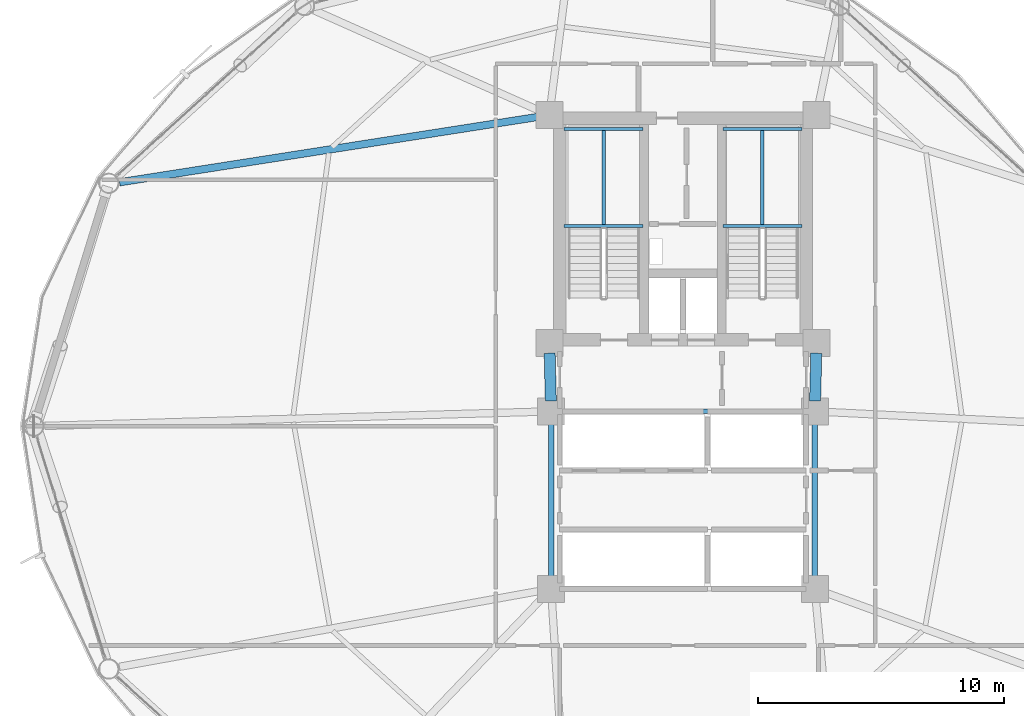
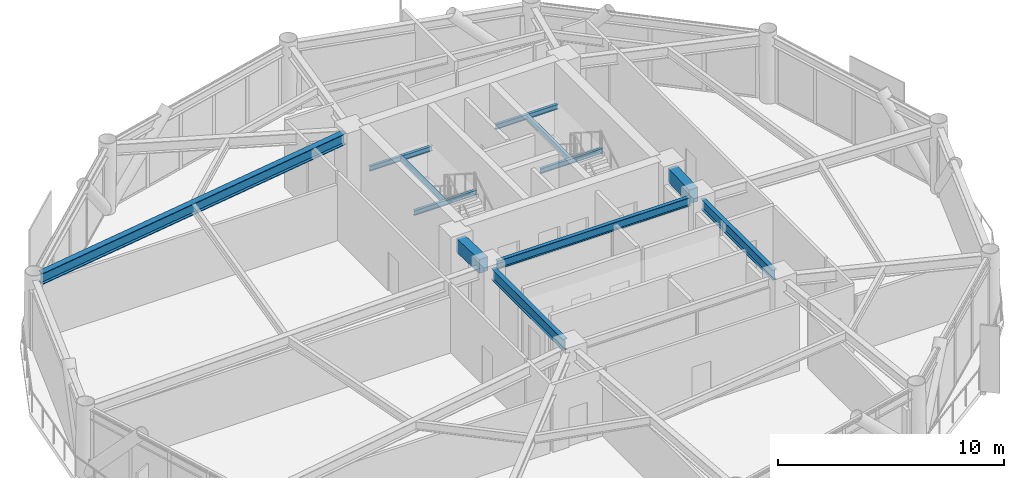
# One storey, part 11 of 26: 12 beams.
"""IFC4 building model written with IfcOpenShell, lengths in metres."""

from ifc_helpers import new_model, si_unit, direction, frame, origin, origin_2d, place, context, subcontext, project, spatial, rectangle, i_section, extrude, material, material_profile, profile_set, type_object, element, save


model = new_model("IFC4")

# Units and contexts
model_context = context("Model", 3, precision=1e-05, world=origin(), true_north=direction((0.0, 1.0)))
body_context = subcontext(model_context, "Body", "Model", "MODEL_VIEW")
ifc_project = project(units=[si_unit("LENGTHUNIT", "METRE"), si_unit("AREAUNIT", "SQUARE_METRE"), si_unit("VOLUMEUNIT", "CUBIC_METRE"), si_unit("PLANEANGLEUNIT", "RADIAN"), si_unit("MASSUNIT", "GRAM", prefix="KILO")], contexts=[model_context])

# Site, building, storey
site_placement = place(None, origin())
site = spatial("IfcSite", under=ifc_project, at=site_placement, CompositionType="ELEMENT")
building_placement = place(site_placement, origin())
building = spatial("IfcBuilding", under=site, at=building_placement, Name="Varnakorn Sky Granary", CompositionType="ELEMENT")
storey_placement = place(building_placement, frame((0.0, 0.0, 87.60009765625)))
storey = spatial("IfcBuildingStorey", under=building, at=storey_placement, Name="L21", CompositionType="ELEMENT", Elevation=87.60009765625)

# Beams
ifc_material_1 = material(Name="Steel S355JR", Category="steel")
ifc_material_profile_1 = material_profile(ifc_material_1, i_section(OverallWidth=0.2099609375, OverallDepth=0.550048828125, WebThickness=0.010986328125, FlangeThickness=0.01708984375, at=origin_2d()), Name="IPE 550")
ifc_profile_set_1 = profile_set([ifc_material_profile_1], Name="Steel S355JR")
beam_type_1 = type_object("IfcBeamType", Name="BM-JST-550", PredefinedType="JOIST", material=ifc_profile_set_1)
beam_1_placement = place(storey_placement, frame((8.35009765625, 0.179931640625, 3.364990234375), z_axis=(0.0, -1.0, 0.0), x_axis=(1.0, 0.0, 0.0)))
element("IfcBeam", 1, at=beam_1_placement, inside=storey, type_object=beam_type_1, Name="Core Spine Framing Beam 4 L21", PredefinedType="JOIST", context=body_context, shape_type="SweptSolid", body=[
    extrude(i_section(OverallWidth=0.2099609375, OverallDepth=0.550048828125, WebThickness=0.010986328125, FlangeThickness=0.01708984375, at=origin_2d()), origin(), (0.0, 0.0, 1.0), 6.35986328125),
])
ifc_material_profile_2 = material_profile(ifc_material_1, i_section(OverallWidth=0.219970703125, OverallDepth=0.60009765625, WebThickness=0.011962890625, FlangeThickness=0.01904296875, at=origin_2d()), Name="IPE 600")
ifc_profile_set_2 = profile_set([ifc_material_profile_2], Name="Steel S355JR")
beam_type_2 = type_object("IfcBeamType", Name="BM-JST-600", PredefinedType="JOIST", material=ifc_profile_set_2)
beam_2_placement = place(storey_placement, frame((-2.35009765625, 0.179931640625, 3.33984375), z_axis=(0.0, -1.0, 0.0), x_axis=(1.0, 0.0, 0.0)))
element("IfcBeam", 2, at=beam_2_placement, inside=storey, type_object=beam_type_2, Name="Core Spine Framing Beam 3 L21", PredefinedType="JOIST", context=body_context, shape_type="SweptSolid", body=[
    extrude(i_section(OverallWidth=0.219970703125, OverallDepth=0.60009765625, WebThickness=0.011962890625, FlangeThickness=0.01904296875, at=origin_2d()), origin(), (0.0, 0.0, 1.0), 6.35986328125),
])
ifc_material_2 = material(Name="Concrete C60/75", Category="concrete")
ifc_material_profile_3 = material_profile(ifc_material_2, rectangle(XDim=0.449951171875, YDim=0.75, at=origin_2d()), Name="RC 450x750")
ifc_profile_set_3 = profile_set([ifc_material_profile_3], Name="Concrete C60/75")
beam_type_3 = type_object("IfcBeamType", Name="BM-LIN-750", PredefinedType="LINTEL", material=ifc_profile_set_3)
for number, where, z_axis, x_axis, name in (
    (3, (-2.409423828125, 2.960205078125, 3.264892578125), (0.025158763514, -0.999683468213, 0.0), (0.999683468213, 0.025158763514, 0.0), "Core Spine Framing Beam 1 L21"),
    (4, (8.409423828125, 2.960205078125, 3.264892578125), (-0.025158763514, -0.999683468213, 0.0), (0.999683468213, -0.025158763514, 0.0), "Core Spine Framing Beam 2 L21"),
):
    element("IfcBeam", number, at=place(storey_placement, frame(where, z_axis=z_axis, x_axis=x_axis)), inside=storey, type_object=beam_type_3, Name=name, PredefinedType="LINTEL", context=body_context, shape_type="SweptSolid", body=[
        extrude(rectangle(XDim=0.449951171875, YDim=0.75, at=origin_2d()), origin(), (0.0, 0.0, 1.0), 1.94091796875),
    ])
ifc_material_profile_4 = material_profile(ifc_material_1, i_section(OverallWidth=0.135009765625, OverallDepth=0.27001953125, WebThickness=0.006591796875, FlangeThickness=0.01025390625, at=origin_2d()), Name="IPE 270")
ifc_profile_set_4 = profile_set([ifc_material_profile_4], Name="Steel S355JR")
beam_type_4 = type_object("IfcBeamType", Name="BM-LND-270", PredefinedType="BEAM", material=ifc_profile_set_4)
for number, where, z_axis, x_axis, name in (
    (5, (-1.820068359375, 8.1201171875, 1.614990234375), (1.0, 0.0, 0.0), (0.0, 1.0, 0.0), "Stair ST-1 Landing Trimmer Beam A L21-1"),
    (6, (-1.820068359375, 12.06005859375, 1.614990234375), (1.0, 0.0, 0.0), (0.0, 1.0, 0.0), "Stair ST-1 Landing Trimmer Beam B L21-1"),
):
    element("IfcBeam", number, at=place(storey_placement, frame(where, z_axis=z_axis, x_axis=x_axis)), inside=storey, type_object=beam_type_4, Name=name, PredefinedType="BEAM", context=body_context, shape_type="SweptSolid", body=[
        extrude(i_section(OverallWidth=0.135009765625, OverallDepth=0.27001953125, WebThickness=0.006591796875, FlangeThickness=0.01025390625, at=origin_2d()), origin(), (0.0, 0.0, 1.0), 3.199951171875),
    ])
beam_3_placement = place(storey_placement, frame((-0.219970703125, 8.1201171875, 1.614990234375), z_axis=(0.0, 1.0, 0.0), x_axis=(-1.0, 0.0, 0.0)))
element("IfcBeam", 7, at=beam_3_placement, inside=storey, type_object=beam_type_4, Name="Stair ST-1 Landing Cross Beam C L21-1", PredefinedType="BEAM", context=body_context, shape_type="SweptSolid", body=[
    extrude(i_section(OverallWidth=0.135009765625, OverallDepth=0.27001953125, WebThickness=0.006591796875, FlangeThickness=0.01025390625, at=origin_2d()), origin(), (0.0, 0.0, 1.0), 3.93994140625),
])
for number, where, z_axis, x_axis, name in (
    (8, (4.6201171875, 8.1201171875, 1.614990234375), (1.0, 0.0, 0.0), (0.0, 1.0, 0.0), "Stair ST-2 Landing Trimmer Beam A L21-1"),
    (9, (4.6201171875, 12.06005859375, 1.614990234375), (1.0, 0.0, 0.0), (0.0, 1.0, 0.0), "Stair ST-2 Landing Trimmer Beam B L21-1"),
):
    element("IfcBeam", number, at=place(storey_placement, frame(where, z_axis=z_axis, x_axis=x_axis)), inside=storey, type_object=beam_type_4, Name=name, PredefinedType="BEAM", context=body_context, shape_type="SweptSolid", body=[
        extrude(i_section(OverallWidth=0.135009765625, OverallDepth=0.27001953125, WebThickness=0.006591796875, FlangeThickness=0.01025390625, at=origin_2d()), origin(), (0.0, 0.0, 1.0), 3.199951171875),
    ])
beam_4_placement = place(storey_placement, frame((6.219970703125, 8.1201171875, 1.614990234375), z_axis=(0.0, 1.0, 0.0), x_axis=(-1.0, 0.0, 0.0)))
element("IfcBeam", 10, at=beam_4_placement, inside=storey, type_object=beam_type_4, Name="Stair ST-2 Landing Cross Beam C L21-1", PredefinedType="BEAM", context=body_context, shape_type="SweptSolid", body=[
    extrude(i_section(OverallWidth=0.135009765625, OverallDepth=0.27001953125, WebThickness=0.006591796875, FlangeThickness=0.01025390625, at=origin_2d()), origin(), (0.0, 0.0, 1.0), 3.93994140625),
])
ifc_material_profile_5 = material_profile(ifc_material_1, i_section(OverallWidth=0.300048828125, OverallDepth=0.60009765625, WebThickness=0.015380859375, FlangeThickness=0.030029296875, at=origin_2d()), Name="HE 600 B")
ifc_profile_set_5 = profile_set([ifc_material_profile_5], Name="Steel S355JR")
beam_type_5 = type_object("IfcBeamType", Name="BM-RAD-Z2", PredefinedType="BEAM", material=ifc_profile_set_5)
beam_5_placement = place(storey_placement, frame((-2.8349609375, 12.55517578125, 3.33984375), z_axis=(-0.988004604526, -0.154424419819, 0.0), x_axis=(0.154424419819, -0.988004604526, 0.0)))
element("IfcBeam", 11, at=beam_5_placement, inside=storey, type_object=beam_type_5, Name="Radial Floor Girder RG06 L21", PredefinedType="BEAM", context=body_context, shape_type="SweptSolid", body=[
    extrude(i_section(OverallWidth=0.300048828125, OverallDepth=0.60009765625, WebThickness=0.015380859375, FlangeThickness=0.030029296875, at=origin_2d()), origin(), (0.0, 0.0, 1.0), 17.232666015625),
])
ifc_material_profile_6 = material_profile(ifc_material_1, i_section(OverallWidth=0.18994140625, OverallDepth=0.449951171875, WebThickness=0.009521484375, FlangeThickness=0.0146484375, at=origin_2d()), Name="IPE 450")
ifc_profile_set_6 = profile_set([ifc_material_profile_6], Name="Steel S355JR")
beam_type_6 = type_object("IfcBeamType", Name="BM-SEC-Z2", PredefinedType="BEAM", material=ifc_profile_set_6)
beam_6_placement = place(storey_placement, frame((-1.929931640625, 0.60009765625, 3.414794921875), z_axis=(1.0, 0.0, 0.0), x_axis=(0.0, 1.0, 0.0)))
element("IfcBeam", 12, at=beam_6_placement, inside=storey, type_object=beam_type_6, Name="Core Spine Framing Beam 5 L21", PredefinedType="BEAM", context=body_context, shape_type="SweptSolid", body=[
    extrude(i_section(OverallWidth=0.18994140625, OverallDepth=0.449951171875, WebThickness=0.009521484375, FlangeThickness=0.0146484375, at=origin_2d()), origin(), (0.0, 0.0, 1.0), 9.85986328125),
])

save(model, "model.ifc")
